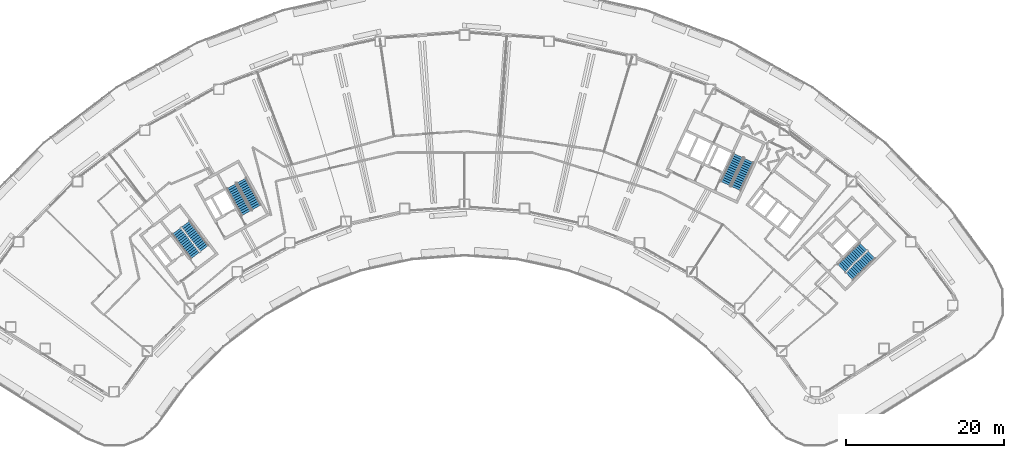
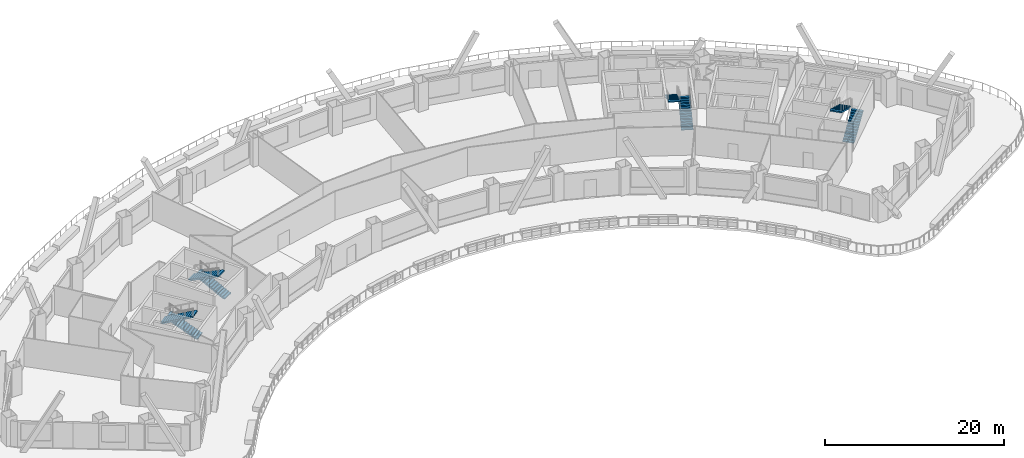
# One storey, part 9 of 12: 8 stair flights, 4 elements without a shape of their own.
"""IFC4 building model written with IfcOpenShell, lengths in metres."""

from ifc_helpers import new_model, si_unit, direction, frame, origin, place, context, subcontext, project, spatial, polyline, outline, extrude, material, type_object, element, aggregate, save


model = new_model("IFC4")

# Units and contexts
model_context = context("Model", 3, precision=1e-05, world=origin(), true_north=direction((0.0, 1.0)))
body_context = subcontext(model_context, "Body", "Model", "MODEL_VIEW")
ifc_project = project(units=[si_unit("LENGTHUNIT", "METRE"), si_unit("AREAUNIT", "SQUARE_METRE"), si_unit("VOLUMEUNIT", "CUBIC_METRE"), si_unit("PLANEANGLEUNIT", "RADIAN"), si_unit("MASSUNIT", "GRAM", prefix="KILO")], contexts=[model_context])

# Site, building, storey
site_placement = place(None, origin())
site = spatial("IfcSite", under=ifc_project, at=site_placement, CompositionType="ELEMENT")
building_placement = place(site_placement, origin())
building = spatial("IfcBuilding", under=site, at=building_placement, Name="Tuul Gate Civic Tower", CompositionType="ELEMENT")
storey_placement = place(building_placement, frame((0.0, 0.0, 31.5)))
storey = spatial("IfcBuildingStorey", under=building, at=storey_placement, Name="Level 06", CompositionType="ELEMENT", Elevation=31.5)

# Stair, stair flights
ifc_material_1 = material(Name="Concrete C40/50", Category="concrete")
stair_type = type_object("IfcStairType", Name="Exit stair", PredefinedType="HALF_TURN_STAIR", material=ifc_material_1)
stair_1_placement = place(storey_placement, origin())
stair_1 = element("IfcStair", 1, at=stair_1_placement, inside=storey, type_object=stair_type, Name="Level 06 ST-1", PredefinedType="HALF_TURN_STAIR")
ifc_material_2 = material(Name="Concrete C40/50", Category="concrete")
stair_flight_type = type_object("IfcStairFlightType", Name="Exit stair flight", PredefinedType="STRAIGHT", material=ifc_material_2)
stair_flight_1_placement = place(storey_placement, frame((-32.875244140625, -13.066650390625, 0.0), z_axis=(0.0, 0.0, 1.0), x_axis=(-0.605764474941, 0.795644016442, 0.0)))
stair_flight_1 = element("IfcStairFlight", 2, at=stair_flight_1_placement, type_object=stair_flight_type, Name="ST-1 flight 1", NumberOfRisers=14, NumberOfTreads=13, PredefinedType="STRAIGHT", RiserHeight=0.15, TreadLength=0.3, context=body_context, shape_type="SweptSolid", body=[
    extrude(outline(polyline([(0.0, 0.0), (0.0, 0.14990234375), (0.300048828125, 0.14990234375), (0.300048828125, 0.300048828125), (0.60009765625, 0.300048828125), (0.60009765625, 0.449951171875), (0.89990234375, 0.449951171875), (0.89990234375, 0.60009765625), (1.199951171875, 0.60009765625), (1.199951171875, 0.75), (1.5, 0.75), (1.5, 0.89990234375), (1.800048828125, 0.89990234375), (1.800048828125, 1.050048828125), (2.10009765625, 1.050048828125), (2.10009765625, 1.199951171875), (2.39990234375, 1.199951171875), (2.39990234375, 1.35009765625), (2.699951171875, 1.35009765625), (2.699951171875, 1.5), (3.0, 1.5), (3.0, 1.64990234375), (3.300048828125, 1.64990234375), (3.300048828125, 1.800048828125), (3.60009765625, 1.800048828125), (3.60009765625, 1.949951171875), (3.89990234375, 1.949951171875), (3.89990234375, 2.10009765625), (3.89990234375, 1.782470703125), (0.335205078125, 0.0), (0.0, 0.0)])), frame((0.0, 0.675048828125, 0.0), z_axis=(0.0, -1.0, 0.0), x_axis=(1.0, 0.0, 0.0)), (0.0, 0.0, 1.0), 1.35009765625),
])
stair_flight_2_placement = place(storey_placement, frame((-36.391357421875, -10.842041015625, 2.10009765625), z_axis=(0.0, 0.0, 1.0), x_axis=(0.605764474941, -0.795644016442, 0.0)))
stair_flight_2 = element("IfcStairFlight", 3, at=stair_flight_2_placement, type_object=stair_flight_type, Name="ST-1 flight 2", NumberOfRisers=14, NumberOfTreads=13, PredefinedType="STRAIGHT", RiserHeight=0.15, TreadLength=0.3, context=body_context, shape_type="SweptSolid", body=[
    extrude(outline(polyline([(0.0, 0.0), (0.0, 0.14990234375), (0.300048828125, 0.14990234375), (0.300048828125, 0.300048828125), (0.60009765625, 0.300048828125), (0.60009765625, 0.449951171875), (0.89990234375, 0.449951171875), (0.89990234375, 0.60009765625), (1.199951171875, 0.60009765625), (1.199951171875, 0.75), (1.5, 0.75), (1.5, 0.89990234375), (1.800048828125, 0.89990234375), (1.800048828125, 1.050048828125), (2.10009765625, 1.050048828125), (2.10009765625, 1.199951171875), (2.39990234375, 1.199951171875), (2.39990234375, 1.35009765625), (2.699951171875, 1.35009765625), (2.699951171875, 1.5), (3.0, 1.5), (3.0, 1.64990234375), (3.300048828125, 1.64990234375), (3.300048828125, 1.800048828125), (3.60009765625, 1.800048828125), (3.60009765625, 1.949951171875), (3.89990234375, 1.949951171875), (3.89990234375, 2.10009765625), (3.89990234375, 1.782470703125), (0.335205078125, 0.0), (0.0, 0.0)])), frame((0.0, 0.675048828125, 0.0), z_axis=(0.0, -1.0, 0.0), x_axis=(1.0, 0.0, 0.0)), (0.0, 0.0, 1.0), 1.35009765625),
])
aggregate(stair_1, [stair_flight_1, stair_flight_2])

stair_2_placement = place(storey_placement, origin())
stair_2 = element("IfcStair", 4, at=stair_2_placement, inside=storey, type_object=stair_type, Name="Level 06 ST-2", PredefinedType="HALF_TURN_STAIR")
stair_flight_3_placement = place(storey_placement, frame((-26.29150390625, -7.87646484375, 0.0), z_axis=(0.0, 0.0, 1.0), x_axis=(-0.484761763766, 0.874646232708, 0.0)))
stair_flight_3 = element("IfcStairFlight", 5, at=stair_flight_3_placement, type_object=stair_flight_type, Name="ST-2 flight 1", NumberOfRisers=14, NumberOfTreads=13, PredefinedType="STRAIGHT", RiserHeight=0.15, TreadLength=0.3, context=body_context, shape_type="SweptSolid", body=[
    extrude(outline(polyline([(0.0, 0.0), (0.0, 0.14990234375), (0.300048828125, 0.14990234375), (0.300048828125, 0.300048828125), (0.60009765625, 0.300048828125), (0.60009765625, 0.449951171875), (0.89990234375, 0.449951171875), (0.89990234375, 0.60009765625), (1.199951171875, 0.60009765625), (1.199951171875, 0.75), (1.5, 0.75), (1.5, 0.89990234375), (1.800048828125, 0.89990234375), (1.800048828125, 1.050048828125), (2.10009765625, 1.050048828125), (2.10009765625, 1.199951171875), (2.39990234375, 1.199951171875), (2.39990234375, 1.35009765625), (2.699951171875, 1.35009765625), (2.699951171875, 1.5), (3.0, 1.5), (3.0, 1.64990234375), (3.300048828125, 1.64990234375), (3.300048828125, 1.800048828125), (3.60009765625, 1.800048828125), (3.60009765625, 1.949951171875), (3.89990234375, 1.949951171875), (3.89990234375, 2.10009765625), (3.89990234375, 1.782470703125), (0.335205078125, 0.0), (0.0, 0.0)])), frame((0.0, 0.675048828125, 0.0), z_axis=(0.0, -1.0, 0.0), x_axis=(1.0, 0.0, 0.0)), (0.0, 0.0, 1.0), 1.35009765625),
])
stair_flight_4_placement = place(storey_placement, frame((-29.450439453125, -5.168212890625, 2.10009765625), z_axis=(0.0, 0.0, 1.0), x_axis=(0.484761763766, -0.874646232708, 0.0)))
stair_flight_4 = element("IfcStairFlight", 6, at=stair_flight_4_placement, type_object=stair_flight_type, Name="ST-2 flight 2", NumberOfRisers=14, NumberOfTreads=13, PredefinedType="STRAIGHT", RiserHeight=0.15, TreadLength=0.3, context=body_context, shape_type="SweptSolid", body=[
    extrude(outline(polyline([(0.0, 0.0), (0.0, 0.14990234375), (0.300048828125, 0.14990234375), (0.300048828125, 0.300048828125), (0.60009765625, 0.300048828125), (0.60009765625, 0.449951171875), (0.89990234375, 0.449951171875), (0.89990234375, 0.60009765625), (1.199951171875, 0.60009765625), (1.199951171875, 0.75), (1.5, 0.75), (1.5, 0.89990234375), (1.800048828125, 0.89990234375), (1.800048828125, 1.050048828125), (2.10009765625, 1.050048828125), (2.10009765625, 1.199951171875), (2.39990234375, 1.199951171875), (2.39990234375, 1.35009765625), (2.699951171875, 1.35009765625), (2.699951171875, 1.5), (3.0, 1.5), (3.0, 1.64990234375), (3.300048828125, 1.64990234375), (3.300048828125, 1.800048828125), (3.60009765625, 1.800048828125), (3.60009765625, 1.949951171875), (3.89990234375, 1.949951171875), (3.89990234375, 2.10009765625), (3.89990234375, 1.782470703125), (0.335205078125, 0.0), (0.0, 0.0)])), frame((0.0, 0.675048828125, 0.0), z_axis=(0.0, -1.0, 0.0), x_axis=(1.0, 0.0, 0.0)), (0.0, 0.0, 1.0), 1.35009765625),
])
aggregate(stair_2, [stair_flight_3, stair_flight_4])

stair_3_placement = place(storey_placement, origin())
stair_3 = element("IfcStair", 7, at=stair_3_placement, inside=storey, type_object=stair_type, Name="Level 06 ST-3", PredefinedType="HALF_TURN_STAIR")
stair_flight_5_placement = place(storey_placement, frame((48.61376953125, -16.581787109375, 0.0), z_axis=(0.0, 0.0, 1.0), x_axis=(0.714127290059, 0.700015866672, 0.0)))
stair_flight_5 = element("IfcStairFlight", 8, at=stair_flight_5_placement, type_object=stair_flight_type, Name="ST-3 flight 1", NumberOfRisers=14, NumberOfTreads=13, PredefinedType="STRAIGHT", RiserHeight=0.15, TreadLength=0.3, context=body_context, shape_type="SweptSolid", body=[
    extrude(outline(polyline([(0.0, 0.0), (0.0, 0.14990234375), (0.300048828125, 0.14990234375), (0.300048828125, 0.300048828125), (0.60009765625, 0.300048828125), (0.60009765625, 0.449951171875), (0.89990234375, 0.449951171875), (0.89990234375, 0.60009765625), (1.199951171875, 0.60009765625), (1.199951171875, 0.75), (1.5, 0.75), (1.5, 0.89990234375), (1.800048828125, 0.89990234375), (1.800048828125, 1.050048828125), (2.10009765625, 1.050048828125), (2.10009765625, 1.199951171875), (2.39990234375, 1.199951171875), (2.39990234375, 1.35009765625), (2.699951171875, 1.35009765625), (2.699951171875, 1.5), (3.0, 1.5), (3.0, 1.64990234375), (3.300048828125, 1.64990234375), (3.300048828125, 1.800048828125), (3.60009765625, 1.800048828125), (3.60009765625, 1.949951171875), (3.89990234375, 1.949951171875), (3.89990234375, 2.10009765625), (3.89990234375, 1.782470703125), (0.335205078125, 0.0), (0.0, 0.0)])), frame((0.0, 0.675048828125, 0.0), z_axis=(0.0, -1.0, 0.0), x_axis=(1.0, 0.0, 0.0)), (0.0, 0.0, 1.0), 1.35009765625),
])
stair_flight_6_placement = place(storey_placement, frame((50.3837890625, -12.816162109375, 2.10009765625), z_axis=(0.0, 0.0, 1.0), x_axis=(-0.714127290059, -0.700015866672, 0.0)))
stair_flight_6 = element("IfcStairFlight", 9, at=stair_flight_6_placement, type_object=stair_flight_type, Name="ST-3 flight 2", NumberOfRisers=14, NumberOfTreads=13, PredefinedType="STRAIGHT", RiserHeight=0.15, TreadLength=0.3, context=body_context, shape_type="SweptSolid", body=[
    extrude(outline(polyline([(0.0, 0.0), (0.0, 0.14990234375), (0.300048828125, 0.14990234375), (0.300048828125, 0.300048828125), (0.60009765625, 0.300048828125), (0.60009765625, 0.449951171875), (0.89990234375, 0.449951171875), (0.89990234375, 0.60009765625), (1.199951171875, 0.60009765625), (1.199951171875, 0.75), (1.5, 0.75), (1.5, 0.89990234375), (1.800048828125, 0.89990234375), (1.800048828125, 1.050048828125), (2.10009765625, 1.050048828125), (2.10009765625, 1.199951171875), (2.39990234375, 1.199951171875), (2.39990234375, 1.35009765625), (2.699951171875, 1.35009765625), (2.699951171875, 1.5), (3.0, 1.5), (3.0, 1.64990234375), (3.300048828125, 1.64990234375), (3.300048828125, 1.800048828125), (3.60009765625, 1.800048828125), (3.60009765625, 1.949951171875), (3.89990234375, 1.949951171875), (3.89990234375, 2.10009765625), (3.89990234375, 1.782470703125), (0.335205078125, 0.0), (0.0, 0.0)])), frame((0.0, 0.675048828125, 0.0), z_axis=(0.0, -1.0, 0.0), x_axis=(1.0, 0.0, 0.0)), (0.0, 0.0, 1.0), 1.35009765625),
])
aggregate(stair_3, [stair_flight_5, stair_flight_6])

stair_4_placement = place(storey_placement, origin())
stair_4 = element("IfcStair", 10, at=stair_4_placement, inside=storey, type_object=stair_type, Name="Level 06 ST-4", PredefinedType="HALF_TURN_STAIR")
stair_flight_7_placement = place(storey_placement, frame((34.278564453125, -5.478515625, 0.0), z_axis=(0.0, 0.0, 1.0), x_axis=(0.422576295988, 0.906327354806, 0.0)))
stair_flight_7 = element("IfcStairFlight", 11, at=stair_flight_7_placement, type_object=stair_flight_type, Name="ST-4 flight 1", NumberOfRisers=14, NumberOfTreads=13, PredefinedType="STRAIGHT", RiserHeight=0.15, TreadLength=0.3, context=body_context, shape_type="SweptSolid", body=[
    extrude(outline(polyline([(0.0, 0.0), (0.0, 0.14990234375), (0.300048828125, 0.14990234375), (0.300048828125, 0.300048828125), (0.60009765625, 0.300048828125), (0.60009765625, 0.449951171875), (0.89990234375, 0.449951171875), (0.89990234375, 0.60009765625), (1.199951171875, 0.60009765625), (1.199951171875, 0.75), (1.5, 0.75), (1.5, 0.89990234375), (1.800048828125, 0.89990234375), (1.800048828125, 1.050048828125), (2.10009765625, 1.050048828125), (2.10009765625, 1.199951171875), (2.39990234375, 1.199951171875), (2.39990234375, 1.35009765625), (2.699951171875, 1.35009765625), (2.699951171875, 1.5), (3.0, 1.5), (3.0, 1.64990234375), (3.300048828125, 1.64990234375), (3.300048828125, 1.800048828125), (3.60009765625, 1.800048828125), (3.60009765625, 1.949951171875), (3.89990234375, 1.949951171875), (3.89990234375, 2.10009765625), (3.89990234375, 1.782470703125), (0.335205078125, 0.0), (0.0, 0.0)])), frame((0.0, 0.675048828125, 0.0), z_axis=(0.0, -1.0, 0.0), x_axis=(1.0, 0.0, 0.0)), (0.0, 0.0, 1.0), 1.35009765625),
])
stair_flight_8_placement = place(storey_placement, frame((34.612548828125, -1.3310546875, 2.10009765625), z_axis=(0.0, 0.0, 1.0), x_axis=(-0.422576295988, -0.906327354806, 0.0)))
stair_flight_8 = element("IfcStairFlight", 12, at=stair_flight_8_placement, type_object=stair_flight_type, Name="ST-4 flight 2", NumberOfRisers=14, NumberOfTreads=13, PredefinedType="STRAIGHT", RiserHeight=0.15, TreadLength=0.3, context=body_context, shape_type="SweptSolid", body=[
    extrude(outline(polyline([(0.0, 0.0), (0.0, 0.14990234375), (0.300048828125, 0.14990234375), (0.300048828125, 0.300048828125), (0.60009765625, 0.300048828125), (0.60009765625, 0.449951171875), (0.89990234375, 0.449951171875), (0.89990234375, 0.60009765625), (1.199951171875, 0.60009765625), (1.199951171875, 0.75), (1.5, 0.75), (1.5, 0.89990234375), (1.800048828125, 0.89990234375), (1.800048828125, 1.050048828125), (2.10009765625, 1.050048828125), (2.10009765625, 1.199951171875), (2.39990234375, 1.199951171875), (2.39990234375, 1.35009765625), (2.699951171875, 1.35009765625), (2.699951171875, 1.5), (3.0, 1.5), (3.0, 1.64990234375), (3.300048828125, 1.64990234375), (3.300048828125, 1.800048828125), (3.60009765625, 1.800048828125), (3.60009765625, 1.949951171875), (3.89990234375, 1.949951171875), (3.89990234375, 2.10009765625), (3.89990234375, 1.782470703125), (0.335205078125, 0.0), (0.0, 0.0)])), frame((0.0, 0.675048828125, 0.0), z_axis=(0.0, -1.0, 0.0), x_axis=(1.0, 0.0, 0.0)), (0.0, 0.0, 1.0), 1.35009765625),
])
aggregate(stair_4, [stair_flight_7, stair_flight_8])

save(model, "model.ifc")
